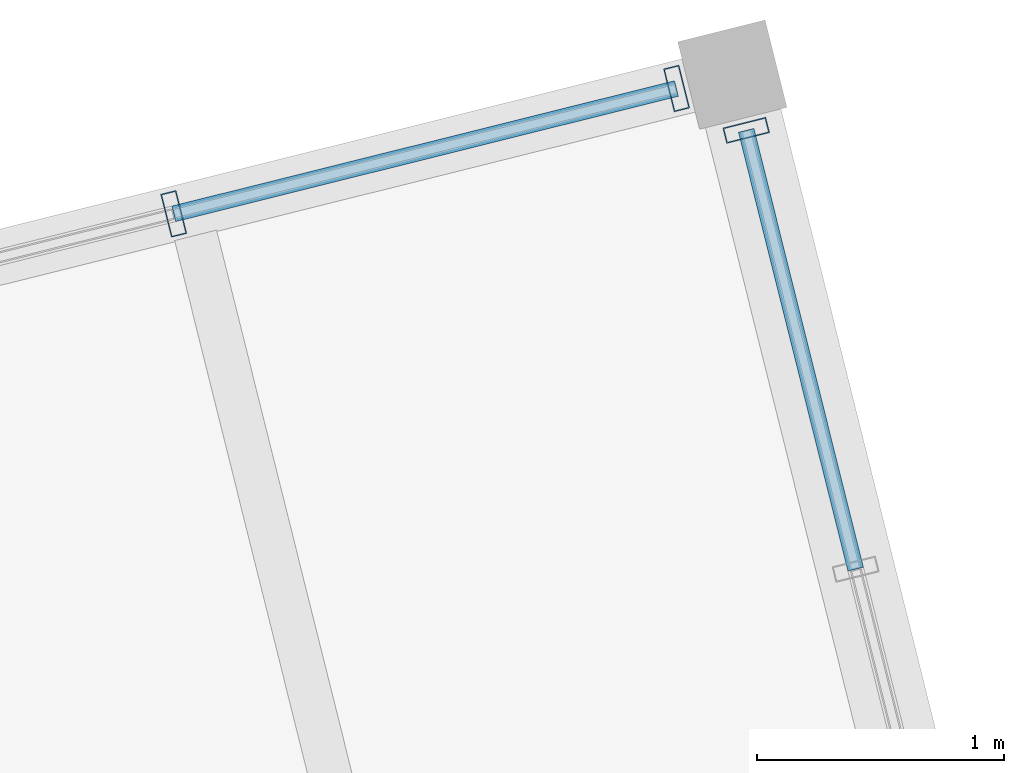
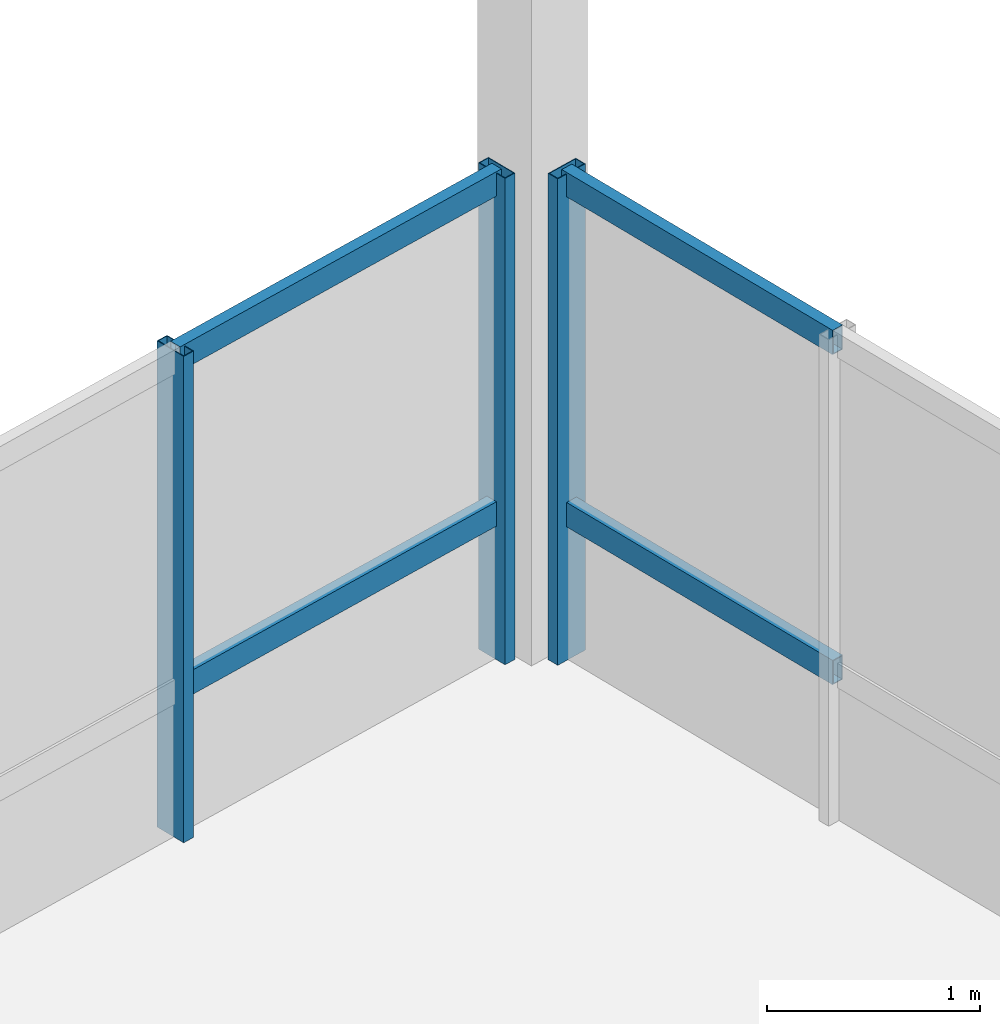
# One storey, part 22 of 28: 7 members, 2 elements without a shape of their own.
"""IFC4 building model written with IfcOpenShell, lengths in metres."""

from ifc_helpers import new_model, si_unit, direction, frame, origin, origin_2d, place, context, subcontext, project, spatial, hollow_rectangle, extrude, material, layer, layer_set, material_profile, profile_set, type_object, element, aggregate, save


model = new_model("IFC4")

# Units and contexts
model_context = context("Model", 3, precision=1e-05, world=origin(), true_north=direction((0.0, 1.0)))
body_context = subcontext(model_context, "Body", "Model", "MODEL_VIEW")
ifc_project = project(units=[si_unit("LENGTHUNIT", "METRE"), si_unit("AREAUNIT", "SQUARE_METRE"), si_unit("VOLUMEUNIT", "CUBIC_METRE"), si_unit("PLANEANGLEUNIT", "RADIAN"), si_unit("MASSUNIT", "GRAM", prefix="KILO")], contexts=[model_context])

# Site, building, storey
site_placement = place(None, origin())
site = spatial("IfcSite", under=ifc_project, at=site_placement, CompositionType="ELEMENT")
building_placement = place(site_placement, origin())
building = spatial("IfcBuilding", under=site, at=building_placement, Name="Meriwether Solvik Hall", CompositionType="ELEMENT")
storey_placement = place(building_placement, frame((0.0, 0.0, 37.800048828125)))
storey = spatial("IfcBuildingStorey", under=building, at=storey_placement, Name="L09", CompositionType="ELEMENT", Elevation=37.800048828125)

# Curtain wall, member
ifc_material_1 = material(Name="Thermally Broken Anodised Aluminium 6063-T6 and Low-E Glass", Category="aluminium")
ifc_layer_1 = layer(ifc_material_1, 0.179931640625)
ifc_layer_set_1 = layer_set([ifc_layer_1], Name="Thermally Broken Anodised Aluminium 6063-T6 and Low-E Glass")
curtain_wall_type_1 = type_object("IfcCurtainWallType", Name="CW-UNIT-E", PredefinedType="USERDEFINED", material=ifc_layer_set_1)
curtain_wall_1_placement = place(storey_placement, origin())
curtain_wall_1 = element("IfcCurtainWall", 1, at=curtain_wall_1_placement, inside=storey, type_object=curtain_wall_type_1, Name="Curtain Wall E5_B0 (L09)", ObjectType="UNITISED CURTAIN WALL", PredefinedType="USERDEFINED")
ifc_material_2 = material(Name="Anodised Aluminium 6063-T6", Category="aluminium")
ifc_material_profile_1 = material_profile(ifc_material_2, hollow_rectangle(XDim=0.06494140625, YDim=0.179931640625, WallThickness=0.00439453125, at=origin_2d()), Name="CWM-65X180")
ifc_profile_set_1 = profile_set([ifc_material_profile_1], Name="Anodised Aluminium 6063-T6")
member_type_1 = type_object("IfcMemberType", Name="CW-MUL-65X180", PredefinedType="MULLION", material=ifc_profile_set_1)
member_1_placement = place(storey_placement, frame((95.361572265625, 82.673583984375, 0.0), z_axis=(0.0, 0.0, 1.0), x_axis=(0.241921782102, -0.970295754574, 0.0)))
member_1 = element("IfcMember", 2, at=member_1_placement, type_object=member_type_1, Name="Curtain Wall Mullion 1", PredefinedType="MULLION", context=body_context, shape_type="SweptSolid", body=[
    extrude(hollow_rectangle(XDim=0.06494140625, YDim=0.179931640625, WallThickness=0.00439453125, at=origin_2d()), origin(), (0.0, 0.0, 1.0), 2.7900390625),
])

# Curtain wall, members
ifc_material_3 = material(Name="Thermally Broken Anodised Aluminium 6063-T6 and Low-E Glass", Category="aluminium")
ifc_layer_2 = layer(ifc_material_3, 0.179931640625)
ifc_layer_set_2 = layer_set([ifc_layer_2], Name="Thermally Broken Anodised Aluminium 6063-T6 and Low-E Glass")
curtain_wall_type_2 = type_object("IfcCurtainWallType", Name="CW-UNIT-C", PredefinedType="USERDEFINED", material=ifc_layer_set_2)
curtain_wall_2_placement = place(storey_placement, origin())
curtain_wall_2 = element("IfcCurtainWall", 3, at=curtain_wall_2_placement, inside=storey, type_object=curtain_wall_type_2, Name="Curtain Wall E6_B4 (L09)", ObjectType="UNITISED CURTAIN WALL", PredefinedType="USERDEFINED")
member_2_placement = place(storey_placement, frame((93.04296875, 82.335205078125, 0.0), z_axis=(0.0, 0.0, 1.0), x_axis=(0.970295737161, 0.241921851942, 0.0)))
member_2 = element("IfcMember", 4, at=member_2_placement, type_object=member_type_1, Name="Curtain Wall Mullion 3", PredefinedType="MULLION", context=body_context, shape_type="SweptSolid", body=[
    extrude(hollow_rectangle(XDim=0.06494140625, YDim=0.179931640625, WallThickness=0.00439453125, at=origin_2d()), origin(), (0.0, 0.0, 1.0), 2.7900390625),
])
member_3_placement = place(storey_placement, frame((95.07958984375, 82.843017578125, 0.0), z_axis=(0.0, 0.0, 1.0), x_axis=(0.970295737161, 0.241921851942, 0.0)))
member_3 = element("IfcMember", 5, at=member_3_placement, type_object=member_type_1, Name="Curtain Wall Mullion 4", PredefinedType="MULLION", context=body_context, shape_type="SweptSolid", body=[
    extrude(hollow_rectangle(XDim=0.06494140625, YDim=0.179931640625, WallThickness=0.00439453125, at=origin_2d()), origin(), (0.0, 0.0, 1.0), 2.7900390625),
])

# Member
ifc_material_4 = material(Name="Anodised Aluminium 6063-T6", Category="aluminium")
ifc_material_profile_2 = material_profile(ifc_material_4, hollow_rectangle(XDim=0.06494140625, YDim=0.139892578125, WallThickness=0.00439453125, at=origin_2d()), Name="CWT-65X140")
ifc_profile_set_2 = profile_set([ifc_material_profile_2], Name="Anodised Aluminium 6063-T6")
member_type_2 = type_object("IfcMemberType", Name="CW-TRN-65X140", PredefinedType="USERDEFINED", material=ifc_profile_set_2)
member_4_placement = place(storey_placement, frame((95.361572265625, 82.673583984375, 0.8369140625), z_axis=(0.241971256119, -0.970283417983, 0.0), x_axis=(0.970283417983, 0.241971256119, 0.0)))
member_4 = element("IfcMember", 6, at=member_4_placement, type_object=member_type_2, Name="Curtain Wall Transom 1-sill", ObjectType="TRANSOM", PredefinedType="USERDEFINED", context=body_context, shape_type="SweptSolid", body=[
    extrude(hollow_rectangle(XDim=0.06494140625, YDim=0.139892578125, WallThickness=0.00439453125, at=origin_2d()), origin(), (0.0, 0.0, 1.0), 1.832275390625),
])

member_5_placement = place(storey_placement, frame((95.361572265625, 82.673583984375, 2.72998046875), z_axis=(0.241971256119, -0.970283417983, 0.0), x_axis=(0.970283417983, 0.241971256119, 0.0)))
member_5 = element("IfcMember", 7, at=member_5_placement, type_object=member_type_2, Name="Curtain Wall Transom 1-head", ObjectType="TRANSOM", PredefinedType="USERDEFINED", context=body_context, shape_type="SweptSolid", body=[
    extrude(hollow_rectangle(XDim=0.06494140625, YDim=0.139892578125, WallThickness=0.00439453125, at=origin_2d()), origin(), (0.0, 0.0, 1.0), 1.832275390625),
])

aggregate(curtain_wall_1, [member_1, member_4, member_5])

member_6_placement = place(storey_placement, frame((93.04296875, 82.335205078125, 0.8369140625), z_axis=(0.970292837531, 0.241933481427, 0.0), x_axis=(-0.241933481427, 0.970292837531, 0.0)))
member_6 = element("IfcMember", 8, at=member_6_placement, type_object=member_type_2, Name="Curtain Wall Transom 3-sill", ObjectType="TRANSOM", PredefinedType="USERDEFINED", context=body_context, shape_type="SweptSolid", body=[
    extrude(hollow_rectangle(XDim=0.06494140625, YDim=0.139892578125, WallThickness=0.00439453125, at=origin_2d()), origin(), (0.0, 0.0, 1.0), 2.098876953125),
])

member_7_placement = place(storey_placement, frame((93.04296875, 82.335205078125, 2.72998046875), z_axis=(0.970292837531, 0.241933481427, 0.0), x_axis=(-0.241933481427, 0.970292837531, 0.0)))
member_7 = element("IfcMember", 9, at=member_7_placement, type_object=member_type_2, Name="Curtain Wall Transom 3-head", ObjectType="TRANSOM", PredefinedType="USERDEFINED", context=body_context, shape_type="SweptSolid", body=[
    extrude(hollow_rectangle(XDim=0.06494140625, YDim=0.139892578125, WallThickness=0.00439453125, at=origin_2d()), origin(), (0.0, 0.0, 1.0), 2.098876953125),
])

aggregate(curtain_wall_2, [member_2, member_3, member_6, member_7])

save(model, "model.ifc")
